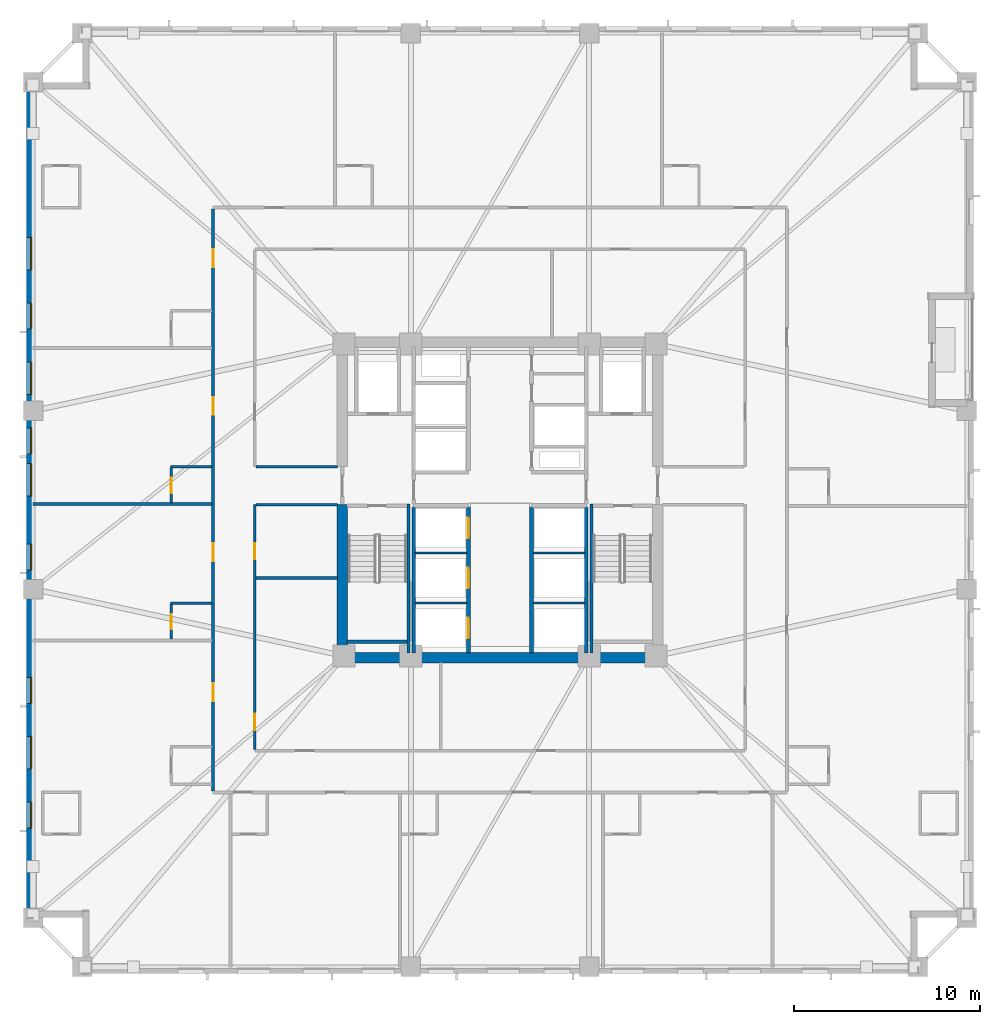
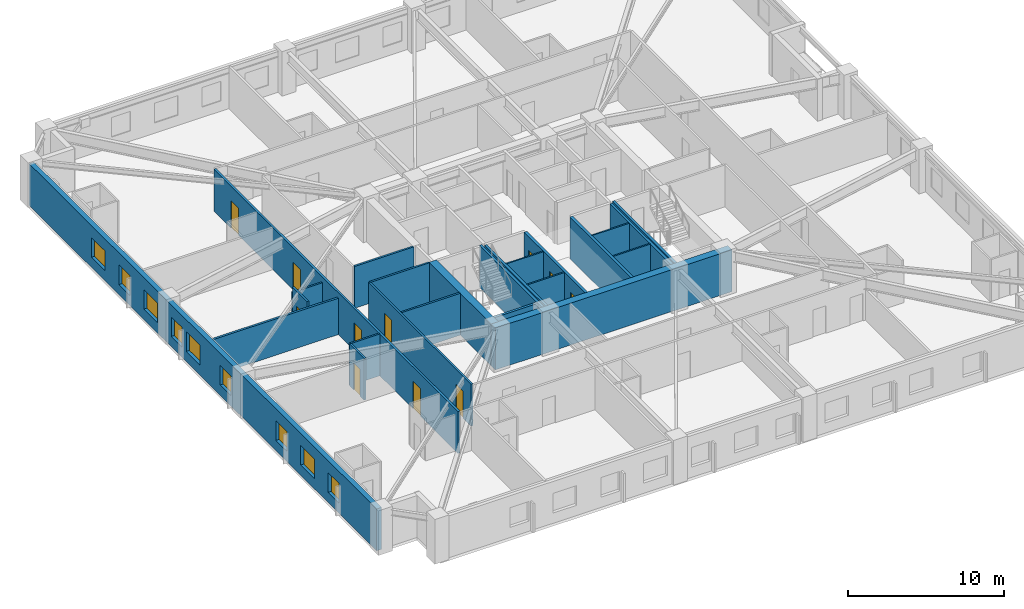
# One storey, part 3 of 11: 24 walls, 11 doors, 9 windows, 20 openings.
"""IFC4 building model written with IfcOpenShell, lengths in metres."""

from ifc_helpers import new_model, si_unit, direction, frame, frame_2d, origin, place, context, subcontext, project, spatial, rectangle, extrude, material, layer, layer_set, type_object, element, fill, save


model = new_model("IFC4")

# Units and contexts
model_context = context("Model", 3, precision=1e-05, world=origin(), true_north=direction((0.0, 1.0)))
body_context = subcontext(model_context, "Body", "Model", "MODEL_VIEW")
ifc_project = project(units=[si_unit("LENGTHUNIT", "METRE"), si_unit("AREAUNIT", "SQUARE_METRE"), si_unit("VOLUMEUNIT", "CUBIC_METRE"), si_unit("PLANEANGLEUNIT", "RADIAN"), si_unit("MASSUNIT", "GRAM", prefix="KILO")], contexts=[model_context])

# Site, building, storey
site_placement = place(None, origin())
site = spatial("IfcSite", under=ifc_project, at=site_placement, CompositionType="ELEMENT")
building_placement = place(site_placement, origin())
building = spatial("IfcBuilding", under=site, at=building_placement, Name="Cairnveth Concourse Tower", CompositionType="ELEMENT")
storey_placement = place(building_placement, frame((0.0, 0.0, 76.0)))
storey = spatial("IfcBuildingStorey", under=building, at=storey_placement, Name="L20", CompositionType="ELEMENT", Elevation=76.0)

# Wall, openings, doors
ifc_material_1 = material(Name="Gypsum Plasterboard Partition", Category="gypsum")
ifc_layer_1 = layer(ifc_material_1, 0.159912109375)
ifc_layer_set_1 = layer_set([ifc_layer_1], Name="Gypsum Plasterboard Partition")
wall_type_1 = type_object("IfcWallType", Name="ACOUSTIC PARTY WALL 180", PredefinedType="PARTITIONING", material=ifc_layer_set_1)
wall_1_placement = place(storey_placement, frame((36.550048828125, 23.31494140625, 0.0), z_axis=(0.0, 0.0, 1.0), x_axis=(0.0, 1.0, 0.0)))
wall_1 = element("IfcWall", 1, at=wall_1_placement, inside=storey, type_object=wall_type_1, Name="Interior Wall IW-L20-040", PredefinedType="PARTITIONING", context=body_context, shape_type="SweptSolid", body=[
    extrude(rectangle(XDim=31.3701171875, YDim=0.159912109375, at=frame_2d((15.68505859375, 0.0))), origin(), (0.0, 0.0, 1.0), 3.280029296875),
])
opening_1_placement = place(wall_1_placement, frame((4.848388671875, 0.0, 0.0)))
opening_1 = element("IfcOpeningElement", 2, at=opening_1_placement, cuts=wall_1, Name="Opening ID09", PredefinedType="OPENING", context=body_context, shape_type="SweptSolid", body=[
    extrude(rectangle(XDim=0.9599609375, YDim=2.14990234375, at=frame_2d((0.47998046875, 1.074951171875))), frame((0.0, 0.08984375, 0.0), z_axis=(0.0, -1.0, 0.0), x_axis=(1.0, 0.0, 0.0)), (0.0, 0.0, 1.0), 0.179931640625),
])
opening_2_placement = place(wall_1_placement, frame((12.390380859375, 0.0, 0.0)))
opening_2 = element("IfcOpeningElement", 3, at=opening_2_placement, cuts=wall_1, Name="Opening ID09", PredefinedType="OPENING", context=body_context, shape_type="SweptSolid", body=[
    extrude(rectangle(XDim=0.9599609375, YDim=2.14990234375, at=frame_2d((0.47998046875, 1.074951171875))), frame((0.0, 0.08984375, 0.0), z_axis=(0.0, -1.0, 0.0), x_axis=(1.0, 0.0, 0.0)), (0.0, 0.0, 1.0), 0.179931640625),
])
opening_3_placement = place(wall_1_placement, frame((20.265380859375, 0.0, 0.0)))
opening_3 = element("IfcOpeningElement", 4, at=opening_3_placement, cuts=wall_1, Name="Opening ID09", PredefinedType="OPENING", context=body_context, shape_type="SweptSolid", body=[
    extrude(rectangle(XDim=0.9599609375, YDim=2.14990234375, at=frame_2d((0.47998046875, 1.074951171875))), frame((0.0, 0.08984375, 0.0), z_axis=(0.0, -1.0, 0.0), x_axis=(1.0, 0.0, 0.0)), (0.0, 0.0, 1.0), 0.179931640625),
])
opening_4_placement = place(wall_1_placement, frame((28.223388671875, 0.0, 0.0)))
opening_4 = element("IfcOpeningElement", 5, at=opening_4_placement, cuts=wall_1, Name="Opening ID09", PredefinedType="OPENING", context=body_context, shape_type="SweptSolid", body=[
    extrude(rectangle(XDim=0.9599609375, YDim=2.14990234375, at=frame_2d((0.47998046875, 1.074951171875))), frame((0.0, 0.08984375, 0.0), z_axis=(0.0, -1.0, 0.0), x_axis=(1.0, 0.0, 0.0)), (0.0, 0.0, 1.0), 0.179931640625),
])
ifc_material_2 = material(Name="Solid Core Hardwood Timber Leaf", Category="wood")
door_type_1 = type_object("IfcDoorType", Name="HOTEL ENTRANCE DOOR 960X2150", OperationType="NOTDEFINED", PredefinedType="DOOR", material=ifc_material_2)
door_1_placement = place(opening_1_placement, origin())
door_1 = element("IfcDoor", 6, at=door_1_placement, inside=storey, type_object=door_type_1, Name="Hotel Room Door L20-W1", OperationType="SINGLE_SWING_RIGHT", OverallHeight=2.14990234375, OverallWidth=0.9599609375, PredefinedType="DOOR", context=body_context, shape_type="SweptSolid", body=[
    extrude(rectangle(XDim=0.9599609375, YDim=2.14990234375, at=frame_2d((0.47998046875, 1.074951171875))), frame((0.0, 0.02490234375, 0.0), z_axis=(0.0, -1.0, 0.0), x_axis=(1.0, 0.0, 0.0)), (0.0, 0.0, 1.0), 0.050048828125),
])
fill(opening_1, door_1)
door_2_placement = place(opening_2_placement, origin())
door_2 = element("IfcDoor", 7, at=door_2_placement, inside=storey, type_object=door_type_1, Name="Hotel Room Door L20-W2", OperationType="SINGLE_SWING_RIGHT", OverallHeight=2.14990234375, OverallWidth=0.9599609375, PredefinedType="DOOR", context=body_context, shape_type="SweptSolid", body=[
    extrude(rectangle(XDim=0.9599609375, YDim=2.14990234375, at=frame_2d((0.47998046875, 1.074951171875))), frame((0.0, 0.02490234375, 0.0), z_axis=(0.0, -1.0, 0.0), x_axis=(1.0, 0.0, 0.0)), (0.0, 0.0, 1.0), 0.050048828125),
])
fill(opening_2, door_2)
door_3_placement = place(opening_3_placement, origin())
door_3 = element("IfcDoor", 8, at=door_3_placement, inside=storey, type_object=door_type_1, Name="Hotel Room Door L20-W3", OperationType="SINGLE_SWING_RIGHT", OverallHeight=2.14990234375, OverallWidth=0.9599609375, PredefinedType="DOOR", context=body_context, shape_type="SweptSolid", body=[
    extrude(rectangle(XDim=0.9599609375, YDim=2.14990234375, at=frame_2d((0.47998046875, 1.074951171875))), frame((0.0, 0.02490234375, 0.0), z_axis=(0.0, -1.0, 0.0), x_axis=(1.0, 0.0, 0.0)), (0.0, 0.0, 1.0), 0.050048828125),
])
fill(opening_3, door_3)
door_4_placement = place(opening_4_placement, origin())
door_4 = element("IfcDoor", 9, at=door_4_placement, inside=storey, type_object=door_type_1, Name="Hotel Room Door L20-W4", OperationType="SINGLE_SWING_RIGHT", OverallHeight=2.14990234375, OverallWidth=0.9599609375, PredefinedType="DOOR", context=body_context, shape_type="SweptSolid", body=[
    extrude(rectangle(XDim=0.9599609375, YDim=2.14990234375, at=frame_2d((0.47998046875, 1.074951171875))), frame((0.0, 0.02490234375, 0.0), z_axis=(0.0, -1.0, 0.0), x_axis=(1.0, 0.0, 0.0)), (0.0, 0.0, 1.0), 0.050048828125),
])
fill(opening_4, door_4)

# Walls
wall_2_placement = place(storey_placement, frame((26.844970703125, 38.783935546875, 0.0), z_axis=(0.0, 0.0, 1.0), x_axis=(1.0, 0.0, 0.0)))
element("IfcWall", 10, at=wall_2_placement, inside=storey, type_object=wall_type_1, Name="Interior Wall IW-L20-089", PredefinedType="PARTITIONING", context=body_context, shape_type="SweptSolid", body=[
    extrude(rectangle(XDim=9.64013671875, YDim=0.159912109375, at=frame_2d((4.820068359375, 0.0))), origin(), (0.0, 0.0, 1.0), 2.84912109375),
])
ifc_material_3 = material(Name="Concrete N80 (80 MPa)", Category="concrete")
ifc_layer_2 = layer(ifc_material_3, 0.550048828125)
ifc_layer_set_2 = layer_set([ifc_layer_2], Name="Concrete N80 (80 MPa)")
wall_type_2 = type_object("IfcWallType", Name="CORE SHEAR WALL 550", PredefinedType="SHEAR", material=ifc_layer_set_2)
wall_3_placement = place(storey_placement, frame((43.22509765625, 30.5, 0.0), z_axis=(0.0, 0.0, 1.0), x_axis=(1.0, 0.0, 0.0)))
element("IfcWall", 11, at=wall_3_placement, inside=storey, type_object=wall_type_2, Name="Core South Shear Wall L20", PredefinedType="SHEAR", context=body_context, shape_type="SweptSolid", body=[
    extrude(rectangle(XDim=17.5498046875, YDim=0.550048828125, at=frame_2d((8.77490234375, 0.0))), origin(), (0.0, 0.0, 1.0), 3.280029296875),
])
wall_4_placement = place(storey_placement, frame((43.5, 30.764892578125, 0.0), z_axis=(0.0, 0.0, 1.0), x_axis=(0.0, 1.0, 0.0)))
element("IfcWall", 12, at=wall_4_placement, inside=storey, type_object=wall_type_2, Name="Core West Shear Wall S L20", PredefinedType="SHEAR", context=body_context, shape_type="SweptSolid", body=[
    extrude(rectangle(XDim=7.985107421875, YDim=0.550048828125, at=frame_2d((3.99267578125, 0.0))), origin(), (0.0, 0.0, 1.0), 3.280029296875),
])
ifc_material_4 = material(Name="Concrete N50 (50 MPa)", Category="concrete")
ifc_layer_3 = layer(ifc_material_4, 0.179931640625)
ifc_layer_set_3 = layer_set([ifc_layer_3], Name="Concrete N50 (50 MPa)")
wall_type_3 = type_object("IfcWallType", Name="FIRE SHAFT WALL 180", PredefinedType="SOLIDWALL", material=ifc_layer_set_3)
for number, where, z_axis, x_axis, name in (
    (13, (47.35009765625, 30.760009765625, 0.0), (0.0, 0.0, 1.0), (0.0, 1.0, 0.0), "Interior Wall IW-L20-025"),
    (14, (56.64990234375, 30.760009765625, 0.0), (0.0, 0.0, 1.0), (0.0, 1.0, 0.0), "Interior Wall IW-L20-028"),
):
    element("IfcWall", number, at=place(storey_placement, frame(where, z_axis=z_axis, x_axis=x_axis)), inside=storey, type_object=wall_type_3, Name=name, PredefinedType="SOLIDWALL", context=body_context, shape_type="SweptSolid", body=[
        extrude(rectangle(XDim=7.85498046875, YDim=0.179931640625, at=frame_2d((3.927490234375, 0.0))), origin(), (0.0, 0.0, 1.0), 3.280029296875),
    ])
wall_5_placement = place(storey_placement, frame((43.764892578125, 31.360107421875, 0.0), z_axis=(0.0, 0.0, 1.0), x_axis=(1.0, 0.0, 0.0)))
element("IfcWall", 15, at=wall_5_placement, inside=storey, type_object=wall_type_3, Name="Stair ST-1 Shaft Wall FAR L20", PredefinedType="SOLIDWALL", context=body_context, shape_type="SweptSolid", body=[
    extrude(rectangle(XDim=3.230224609375, YDim=0.179931640625, at=frame_2d((1.615234375, 0.0))), origin(), (0.0, 0.0, 1.0), 3.280029296875),
])
for number, where, z_axis, x_axis, name in (
    (16, (47.070068359375, 38.780029296875, 0.0), (0.0, 0.0, 1.0), (0.0, -1.0, 0.0), "Stair ST-1 Shaft Wall RGHT L20"),
    (17, (56.929931640625, 38.780029296875, 0.0), (0.0, 0.0, 1.0), (0.0, -1.0, 0.0), "Stair ST-2 Shaft Wall LEFT L20"),
):
    element("IfcWall", number, at=place(storey_placement, frame(where, z_axis=z_axis, x_axis=x_axis)), inside=storey, type_object=wall_type_3, Name=name, PredefinedType="SOLIDWALL", context=body_context, shape_type="SweptSolid", body=[
        extrude(rectangle(XDim=8.01708984375, YDim=0.179931640625, at=frame_2d((4.008544921875, 0.0))), origin(), (0.0, 0.0, 1.0), 3.280029296875),
    ])

# Wall, openings, doors
ifc_layer_4 = layer(ifc_material_4, 0.199951171875)
ifc_layer_set_4 = layer_set([ifc_layer_4], Name="Concrete N50 (50 MPa)")
wall_type_4 = type_object("IfcWallType", Name="FIRE SHAFT WALL 200", PredefinedType="SOLIDWALL", material=ifc_layer_set_4)
wall_6_placement = place(storey_placement, frame((50.300048828125, 30.760009765625, 0.0), z_axis=(0.0, 0.0, 1.0), x_axis=(0.0, 1.0, 0.0)))
wall_6 = element("IfcWall", 18, at=wall_6_placement, inside=storey, type_object=wall_type_4, Name="Interior Wall IW-L20-011", PredefinedType="SOLIDWALL", context=body_context, shape_type="SweptSolid", body=[
    extrude(rectangle(XDim=7.85498046875, YDim=0.199951171875, at=frame_2d((3.927490234375, 0.0))), origin(), (0.0, 0.0, 1.0), 3.280029296875),
])
opening_5_placement = place(wall_6_placement, frame((0.7900390625, 0.0, 0.0)))
opening_5 = element("IfcOpeningElement", 19, at=opening_5_placement, cuts=wall_6, Name="Opening LD-1", PredefinedType="OPENING", context=body_context, shape_type="SweptSolid", body=[
    extrude(rectangle(XDim=1.10009765625, YDim=2.199951171875, at=frame_2d((0.550048828125, 1.10009765625))), frame((0.0, 0.10986328125, 0.0), z_axis=(0.0, -1.0, 0.0), x_axis=(1.0, 0.0, 0.0)), (0.0, 0.0, 1.0), 0.219970703125),
])
opening_6_placement = place(wall_6_placement, frame((3.489990234375, 0.0, 0.0)))
opening_6 = element("IfcOpeningElement", 20, at=opening_6_placement, cuts=wall_6, Name="Opening LD-1", PredefinedType="OPENING", context=body_context, shape_type="SweptSolid", body=[
    extrude(rectangle(XDim=1.10009765625, YDim=2.199951171875, at=frame_2d((0.550048828125, 1.10009765625))), frame((0.0, 0.10986328125, 0.0), z_axis=(0.0, -1.0, 0.0), x_axis=(1.0, 0.0, 0.0)), (0.0, 0.0, 1.0), 0.219970703125),
])
opening_7_placement = place(wall_6_placement, frame((6.18994140625, 0.0, 0.0)))
opening_7 = element("IfcOpeningElement", 21, at=opening_7_placement, cuts=wall_6, Name="Opening LD-1", PredefinedType="OPENING", context=body_context, shape_type="SweptSolid", body=[
    extrude(rectangle(XDim=1.10009765625, YDim=2.199951171875, at=frame_2d((0.550048828125, 1.10009765625))), frame((0.0, 0.10986328125, 0.0), z_axis=(0.0, -1.0, 0.0), x_axis=(1.0, 0.0, 0.0)), (0.0, 0.0, 1.0), 0.219970703125),
])
ifc_material_5 = material(Name="Architectural Bronze Anodised Aluminium 6063-T6", Category="aluminium")
door_type_2 = type_object("IfcDoorType", Name="LIFT LANDING DOOR 1100X2200", OperationType="SLIDING_TO_LEFT", PredefinedType="DOOR", material=ifc_material_5)
door_5_placement = place(opening_5_placement, origin())
door_5 = element("IfcDoor", 22, at=door_5_placement, inside=storey, type_object=door_type_2, Name="Lift PL1 Landing Door L20", OperationType="SLIDING_TO_LEFT", OverallHeight=2.199951171875, OverallWidth=1.10009765625, PredefinedType="DOOR", context=body_context, shape_type="SweptSolid", body=[
    extrude(rectangle(XDim=1.10009765625, YDim=2.199951171875, at=frame_2d((0.550048828125, 1.10009765625))), frame((0.0, 0.02490234375, 0.0), z_axis=(0.0, -1.0, 0.0), x_axis=(1.0, 0.0, 0.0)), (0.0, 0.0, 1.0), 0.050048828125),
])
fill(opening_5, door_5)
door_6_placement = place(opening_6_placement, origin())
door_6 = element("IfcDoor", 23, at=door_6_placement, inside=storey, type_object=door_type_2, Name="Lift PL2 Landing Door L20", OperationType="SLIDING_TO_LEFT", OverallHeight=2.199951171875, OverallWidth=1.10009765625, PredefinedType="DOOR", context=body_context, shape_type="SweptSolid", body=[
    extrude(rectangle(XDim=1.10009765625, YDim=2.199951171875, at=frame_2d((0.550048828125, 1.10009765625))), frame((0.0, 0.02490234375, 0.0), z_axis=(0.0, -1.0, 0.0), x_axis=(1.0, 0.0, 0.0)), (0.0, 0.0, 1.0), 0.050048828125),
])
fill(opening_6, door_6)
door_7_placement = place(opening_7_placement, origin())
door_7 = element("IfcDoor", 24, at=door_7_placement, inside=storey, type_object=door_type_2, Name="Lift PL3 Landing Door L20", OperationType="SLIDING_TO_LEFT", OverallHeight=2.199951171875, OverallWidth=1.10009765625, PredefinedType="DOOR", context=body_context, shape_type="SweptSolid", body=[
    extrude(rectangle(XDim=1.10009765625, YDim=2.199951171875, at=frame_2d((0.550048828125, 1.10009765625))), frame((0.0, 0.02490234375, 0.0), z_axis=(0.0, -1.0, 0.0), x_axis=(1.0, 0.0, 0.0)), (0.0, 0.0, 1.0), 0.050048828125),
])
fill(opening_7, door_7)

# Wall
wall_7_placement = place(storey_placement, frame((53.699951171875, 30.760009765625, 0.0), z_axis=(0.0, 0.0, 1.0), x_axis=(0.0, 1.0, 0.0)))
element("IfcWall", 25, at=wall_7_placement, inside=storey, type_object=wall_type_4, Name="Interior Wall IW-L20-012", PredefinedType="SOLIDWALL", context=body_context, shape_type="SweptSolid", body=[
    extrude(rectangle(XDim=7.85498046875, YDim=0.199951171875, at=frame_2d((3.927490234375, 0.0))), origin(), (0.0, 0.0, 1.0), 3.280029296875),
])

# Wall, openings, doors
ifc_layer_5 = layer(ifc_material_1, 0.139892578125)
ifc_layer_set_5 = layer_set([ifc_layer_5], Name="Gypsum Plasterboard Partition")
wall_type_5 = type_object("IfcWallType", Name="GYPSUM STUD PARTITION 140", PredefinedType="PARTITIONING", material=ifc_layer_set_5)
wall_8_placement = place(storey_placement, frame((38.800048828125, 25.554931640625, 0.0), z_axis=(0.0, 0.0, 1.0), x_axis=(0.0, 1.0, 0.0)))
wall_8 = element("IfcWall", 26, at=wall_8_placement, inside=storey, type_object=wall_type_5, Name="Interior Wall IW-L20-044", PredefinedType="PARTITIONING", context=body_context, shape_type="SweptSolid", body=[
    extrude(rectangle(XDim=13.195068359375, YDim=0.139892578125, at=frame_2d((6.59765625, 0.0))), origin(), (0.0, 0.0, 1.0), 3.280029296875),
])
opening_8_placement = place(wall_8_placement, frame((1.044921875, 0.0, 0.0)))
opening_8 = element("IfcOpeningElement", 27, at=opening_8_placement, cuts=wall_8, Name="Opening ID18", PredefinedType="OPENING", context=body_context, shape_type="SweptSolid", body=[
    extrude(rectangle(XDim=0.8798828125, YDim=2.10009765625, at=frame_2d((0.43994140625, 1.050048828125))), frame((0.0, 0.079833984375, 0.0), z_axis=(0.0, -1.0, 0.0), x_axis=(1.0, 0.0, 0.0)), (0.0, 0.0, 1.0), 0.159912109375),
])
opening_9_placement = place(wall_8_placement, frame((10.2451171875, 0.0, 0.0)))
opening_9 = element("IfcOpeningElement", 28, at=opening_9_placement, cuts=wall_8, Name="Opening ID18", PredefinedType="OPENING", context=body_context, shape_type="SweptSolid", body=[
    extrude(rectangle(XDim=0.8798828125, YDim=2.10009765625, at=frame_2d((0.43994140625, 1.050048828125))), frame((0.0, 0.079833984375, 0.0), z_axis=(0.0, -1.0, 0.0), x_axis=(1.0, 0.0, 0.0)), (0.0, 0.0, 1.0), 0.159912109375),
])
door_type_3 = type_object("IfcDoorType", Name="INTERIOR SINGLE DOOR 880X2100", OperationType="NOTDEFINED", PredefinedType="DOOR", material=ifc_material_2)
door_8_placement = place(opening_8_placement, origin())
door_8 = element("IfcDoor", 29, at=door_8_placement, inside=storey, type_object=door_type_3, Name="Interior Door DR-L20-018", OperationType="SINGLE_SWING_RIGHT", OverallHeight=2.10009765625, OverallWidth=0.8798828125, PredefinedType="DOOR", context=body_context, shape_type="SweptSolid", body=[
    extrude(rectangle(XDim=0.8798828125, YDim=2.10009765625, at=frame_2d((0.43994140625, 1.050048828125))), frame((0.0, 0.02490234375, 0.0), z_axis=(0.0, -1.0, 0.0), x_axis=(1.0, 0.0, 0.0)), (0.0, 0.0, 1.0), 0.050048828125),
])
fill(opening_8, door_8)
door_9_placement = place(opening_9_placement, origin())
door_9 = element("IfcDoor", 30, at=door_9_placement, inside=storey, type_object=door_type_3, Name="Interior Door DR-L20-019", OperationType="SINGLE_SWING_LEFT", OverallHeight=2.10009765625, OverallWidth=0.8798828125, PredefinedType="DOOR", context=body_context, shape_type="SweptSolid", body=[
    extrude(rectangle(XDim=0.8798828125, YDim=2.10009765625, at=frame_2d((0.43994140625, 1.050048828125))), frame((0.0, 0.02490234375, 0.0), z_axis=(0.0, -1.0, 0.0), x_axis=(1.0, 0.0, 0.0)), (0.0, 0.0, 1.0), 0.050048828125),
])
fill(opening_9, door_9)

# Walls
for number, where, z_axis, x_axis, name in (
    (31, (38.85498046875, 38.75, 0.0), (0.0, 0.0, 1.0), (1.0, 0.0, 0.0), "Interior Wall IW-L20-046"),
    (32, (38.85498046875, 40.800048828125, 0.0), (0.0, 0.0, 1.0), (1.0, 0.0, 0.0), "Interior Wall IW-L20-047"),
    (33, (38.85498046875, 34.800048828125, 0.0), (0.0, 0.0, 1.0), (1.0, 0.0, 0.0), "Interior Wall IW-L20-054"),
):
    element("IfcWall", number, at=place(storey_placement, frame(where, z_axis=z_axis, x_axis=x_axis)), inside=storey, type_object=wall_type_5, Name=name, PredefinedType="PARTITIONING", context=body_context, shape_type="SweptSolid", body=[
        extrude(rectangle(XDim=4.385009765625, YDim=0.139892578125, at=frame_2d((2.1923828125, 0.0))), origin(), (0.0, 0.0, 1.0), 3.280029296875),
    ])
ifc_layer_6 = layer(ifc_material_1, 0.110107421875)
ifc_layer_set_6 = layer_set([ifc_layer_6], Name="Gypsum Plasterboard Partition")
wall_type_6 = type_object("IfcWallType", Name="SHAFT DIVIDER WALL 140", PredefinedType="PARTITIONING", material=ifc_layer_set_6)
for number, where, z_axis, x_axis, name in (
    (34, (47.425048828125, 33.449951171875, 0.0), (0.0, 0.0, 1.0), (1.0, 0.0, 0.0), "Interior Wall IW-L20-026"),
    (35, (47.425048828125, 36.14990234375, 0.0), (0.0, 0.0, 1.0), (1.0, 0.0, 0.0), "Interior Wall IW-L20-027"),
    (36, (53.784912109375, 33.449951171875, 0.0), (0.0, 0.0, 1.0), (1.0, 0.0, 0.0), "Interior Wall IW-L20-029"),
    (37, (53.784912109375, 36.14990234375, 0.0), (0.0, 0.0, 1.0), (1.0, 0.0, 0.0), "Interior Wall IW-L20-030"),
):
    element("IfcWall", number, at=place(storey_placement, frame(where, z_axis=z_axis, x_axis=x_axis)), inside=storey, type_object=wall_type_6, Name=name, PredefinedType="PARTITIONING", context=body_context, shape_type="SweptSolid", body=[
        extrude(rectangle(XDim=2.7900390625, YDim=0.110107421875, at=frame_2d((1.39501953125, 0.0))), origin(), (0.0, 0.0, 1.0), 3.280029296875),
    ])
ifc_layer_7 = layer(ifc_material_1, 0.1298828125)
ifc_layer_set_7 = layer_set([ifc_layer_7], Name="Gypsum Plasterboard Partition")
wall_type_7 = type_object("IfcWallType", Name="WET AREA PARTITION 140", PredefinedType="PLUMBINGWALL", material=ifc_layer_set_7)
wall_9_placement = place(storey_placement, frame((34.25, 33.43701171875, 0.0), z_axis=(0.0, 0.0, 1.0), x_axis=(1.0, 0.0, 0.0)))
element("IfcWall", 38, at=wall_9_placement, inside=storey, type_object=wall_type_7, Name="Interior Wall IW-L20-087", PredefinedType="PLUMBINGWALL", context=body_context, shape_type="SweptSolid", body=[
    extrude(rectangle(XDim=2.235107421875, YDim=0.1298828125, at=frame_2d((1.11767578125, 0.0))), origin(), (0.0, 0.0, 1.0), 3.280029296875),
])

# Wall, opening, door
wall_10_placement = place(storey_placement, frame((34.300048828125, 31.501953125, 0.0), z_axis=(0.0, 0.0, 1.0), x_axis=(0.0, 1.0, 0.0)))
wall_10 = element("IfcWall", 39, at=wall_10_placement, inside=storey, type_object=wall_type_7, Name="Interior Wall IW-L20-088", PredefinedType="PLUMBINGWALL", context=body_context, shape_type="SweptSolid", body=[
    extrude(rectangle(XDim=1.885009765625, YDim=0.1298828125, at=frame_2d((0.9423828125, 0.0))), origin(), (0.0, 0.0, 1.0), 3.280029296875),
])
opening_10_placement = place(wall_10_placement, frame((0.52490234375, 0.0, 0.0)))
opening_10 = element("IfcOpeningElement", 40, at=opening_10_placement, cuts=wall_10, Name="Opening ID22", PredefinedType="OPENING", context=body_context, shape_type="SweptSolid", body=[
    extrude(rectangle(XDim=0.820068359375, YDim=2.10009765625, at=frame_2d((0.41015625, 1.050048828125))), frame((0.0, 0.074951171875, 0.0), z_axis=(0.0, -1.0, 0.0), x_axis=(1.0, 0.0, 0.0)), (0.0, 0.0, 1.0), 0.14990234375),
])
door_type_4 = type_object("IfcDoorType", Name="INTERIOR WC DOOR 820X2100", OperationType="NOTDEFINED", PredefinedType="DOOR", material=ifc_material_2)
door_10_placement = place(opening_10_placement, origin())
door_10 = element("IfcDoor", 41, at=door_10_placement, inside=storey, type_object=door_type_4, Name="En-Suite Door L20-W2", OperationType="SINGLE_SWING_LEFT", OverallHeight=2.10009765625, OverallWidth=0.820068359375, PredefinedType="DOOR", context=body_context, shape_type="SweptSolid", body=[
    extrude(rectangle(XDim=0.820068359375, YDim=2.10009765625, at=frame_2d((0.41015625, 1.050048828125))), frame((0.0, 0.02490234375, 0.0), z_axis=(0.0, -1.0, 0.0), x_axis=(1.0, 0.0, 0.0)), (0.0, 0.0, 1.0), 0.050048828125),
])
fill(opening_10, door_10)

# Wall
wall_11_placement = place(storey_placement, frame((34.25, 40.783935546875, 0.0), z_axis=(0.0, 0.0, 1.0), x_axis=(1.0, 0.0, 0.0)))
element("IfcWall", 42, at=wall_11_placement, inside=storey, type_object=wall_type_7, Name="Interior Wall IW-L20-090", PredefinedType="PLUMBINGWALL", context=body_context, shape_type="SweptSolid", body=[
    extrude(rectangle(XDim=2.235107421875, YDim=0.1298828125, at=frame_2d((1.11767578125, 0.0))), origin(), (0.0, 0.0, 1.0), 2.84912109375),
])

# Wall, opening, door
wall_12_placement = place(storey_placement, frame((34.300048828125, 38.84912109375, 0.0), z_axis=(0.0, 0.0, 1.0), x_axis=(0.0, 1.0, 0.0)))
wall_12 = element("IfcWall", 43, at=wall_12_placement, inside=storey, type_object=wall_type_7, Name="Interior Wall IW-L20-091", PredefinedType="PLUMBINGWALL", context=body_context, shape_type="SweptSolid", body=[
    extrude(rectangle(XDim=1.884765625, YDim=0.1298828125, at=frame_2d((0.9423828125, 0.0))), origin(), (0.0, 0.0, 1.0), 3.280029296875),
])
opening_11_placement = place(wall_12_placement, frame((0.52490234375, 0.0, 0.0)))
opening_11 = element("IfcOpeningElement", 44, at=opening_11_placement, cuts=wall_12, Name="Opening ID22", PredefinedType="OPENING", context=body_context, shape_type="SweptSolid", body=[
    extrude(rectangle(XDim=0.820068359375, YDim=2.10009765625, at=frame_2d((0.41015625, 1.050048828125))), frame((0.0, 0.074951171875, 0.0), z_axis=(0.0, -1.0, 0.0), x_axis=(1.0, 0.0, 0.0)), (0.0, 0.0, 1.0), 0.14990234375),
])
door_11_placement = place(opening_11_placement, origin())
door_11 = element("IfcDoor", 45, at=door_11_placement, inside=storey, type_object=door_type_4, Name="En-Suite Door L20-W3", OperationType="SINGLE_SWING_LEFT", OverallHeight=2.10009765625, OverallWidth=0.820068359375, PredefinedType="DOOR", context=body_context, shape_type="SweptSolid", body=[
    extrude(rectangle(XDim=0.820068359375, YDim=2.10009765625, at=frame_2d((0.41015625, 1.050048828125))), frame((0.0, 0.02490234375, 0.0), z_axis=(0.0, -1.0, 0.0), x_axis=(1.0, 0.0, 0.0)), (0.0, 0.0, 1.0), 0.050048828125),
])
fill(opening_11, door_11)

# Wall, openings, windows
ifc_material_6 = material(Name="Hawthorn Red-Ochre Fired Clay Brick Masonry", Category="masonry")
ifc_layer_8 = layer(ifc_material_6, 0.360107421875)
ifc_layer_set_8 = layer_set([ifc_layer_8], Name="Hawthorn Red-Ochre Fired Clay Brick Masonry")
wall_type_8 = type_object("IfcWallType", Name="ZONE 1 BRICK PIER SPANDREL WALL 360", PredefinedType="SOLIDWALL", material=ifc_layer_set_8)
wall_13_placement = place(storey_placement, frame((26.679931640625, 16.5, 0.0), z_axis=(0.0, 0.0, 1.0), x_axis=(0.0, 1.0, 0.0)))
wall_13 = element("IfcWall", 46, at=wall_13_placement, inside=storey, type_object=wall_type_8, Name="Exterior Wall EW-L20-S06", PredefinedType="SOLIDWALL", context=body_context, shape_type="SweptSolid", body=[
    extrude(rectangle(XDim=44.662109375, YDim=0.360107421875, at=frame_2d((22.3310546875, 0.0))), origin(), (0.0, 0.0, 1.0), 3.280029296875),
])
opening_12_placement = place(wall_13_placement, frame((4.830078125, 0.0, 0.800048828125)))
opening_12 = element("IfcOpeningElement", 47, at=opening_12_placement, cuts=wall_13, Name="Opening W05", PredefinedType="OPENING", context=body_context, shape_type="SweptSolid", body=[
    extrude(rectangle(XDim=1.39990234375, YDim=1.5439453125, at=frame_2d((0.699951171875, 0.77197265625))), frame((0.0, 0.18994140625, 0.0), z_axis=(0.0, -1.0, 0.0), x_axis=(1.0, 0.0, 0.0)), (0.0, 0.0, 1.0), 0.380126953125),
])
opening_13_placement = place(wall_13_placement, frame((8.015380859375, 0.0, 0.800048828125)))
opening_13 = element("IfcOpeningElement", 48, at=opening_13_placement, cuts=wall_13, Name="Opening W06", PredefinedType="OPENING", context=body_context, shape_type="SweptSolid", body=[
    extrude(rectangle(XDim=1.75, YDim=1.5439453125, at=frame_2d((0.875, 0.77197265625))), frame((0.0, 0.18994140625, 0.0), z_axis=(0.0, -1.0, 0.0), x_axis=(1.0, 0.0, 0.0)), (0.0, 0.0, 1.0), 0.380126953125),
])
opening_14_placement = place(wall_13_placement, frame((11.550537109375, 0.0, 0.800048828125)))
opening_14 = element("IfcOpeningElement", 49, at=opening_14_placement, cuts=wall_13, Name="Opening W05", PredefinedType="OPENING", context=body_context, shape_type="SweptSolid", body=[
    extrude(rectangle(XDim=1.39990234375, YDim=1.5439453125, at=frame_2d((0.699951171875, 0.77197265625))), frame((0.0, 0.18994140625, 0.0), z_axis=(0.0, -1.0, 0.0), x_axis=(1.0, 0.0, 0.0)), (0.0, 0.0, 1.0), 0.380126953125),
])
opening_15_placement = place(wall_13_placement, frame((18.720703125, 0.0, 0.800048828125)))
opening_15 = element("IfcOpeningElement", 50, at=opening_15_placement, cuts=wall_13, Name="Opening W05", PredefinedType="OPENING", context=body_context, shape_type="SweptSolid", body=[
    extrude(rectangle(XDim=1.39990234375, YDim=1.5439453125, at=frame_2d((0.699951171875, 0.77197265625))), frame((0.0, 0.18994140625, 0.0), z_axis=(0.0, -1.0, 0.0), x_axis=(1.0, 0.0, 0.0)), (0.0, 0.0, 1.0), 0.380126953125),
])
opening_16_placement = place(wall_13_placement, frame((22.7060546875, 0.0, 0.800048828125)))
opening_16 = element("IfcOpeningElement", 51, at=opening_16_placement, cuts=wall_13, Name="Opening W06", PredefinedType="OPENING", context=body_context, shape_type="SweptSolid", body=[
    extrude(rectangle(XDim=1.75, YDim=1.5439453125, at=frame_2d((0.875, 0.77197265625))), frame((0.0, 0.18994140625, 0.0), z_axis=(0.0, -1.0, 0.0), x_axis=(1.0, 0.0, 0.0)), (0.0, 0.0, 1.0), 0.380126953125),
])
opening_17_placement = place(wall_13_placement, frame((24.9912109375, 0.0, 0.800048828125)))
opening_17 = element("IfcOpeningElement", 52, at=opening_17_placement, cuts=wall_13, Name="Opening W05", PredefinedType="OPENING", context=body_context, shape_type="SweptSolid", body=[
    extrude(rectangle(XDim=1.39990234375, YDim=1.5439453125, at=frame_2d((0.699951171875, 0.77197265625))), frame((0.0, 0.18994140625, 0.0), z_axis=(0.0, -1.0, 0.0), x_axis=(1.0, 0.0, 0.0)), (0.0, 0.0, 1.0), 0.380126953125),
])
opening_18_placement = place(wall_13_placement, frame((28.176513671875, 0.0, 0.800048828125)))
opening_18 = element("IfcOpeningElement", 53, at=opening_18_placement, cuts=wall_13, Name="Opening W06", PredefinedType="OPENING", context=body_context, shape_type="SweptSolid", body=[
    extrude(rectangle(XDim=1.75, YDim=1.5439453125, at=frame_2d((0.875, 0.77197265625))), frame((0.0, 0.18994140625, 0.0), z_axis=(0.0, -1.0, 0.0), x_axis=(1.0, 0.0, 0.0)), (0.0, 0.0, 1.0), 0.380126953125),
])
opening_19_placement = place(wall_13_placement, frame((31.71142578125, 0.0, 0.800048828125)))
opening_19 = element("IfcOpeningElement", 54, at=opening_19_placement, cuts=wall_13, Name="Opening W05", PredefinedType="OPENING", context=body_context, shape_type="SweptSolid", body=[
    extrude(rectangle(XDim=1.39990234375, YDim=1.5439453125, at=frame_2d((0.699951171875, 0.77197265625))), frame((0.0, 0.18994140625, 0.0), z_axis=(0.0, -1.0, 0.0), x_axis=(1.0, 0.0, 0.0)), (0.0, 0.0, 1.0), 0.380126953125),
])
opening_20_placement = place(wall_13_placement, frame((34.896728515625, 0.0, 0.800048828125)))
opening_20 = element("IfcOpeningElement", 55, at=opening_20_placement, cuts=wall_13, Name="Opening W06", PredefinedType="OPENING", context=body_context, shape_type="SweptSolid", body=[
    extrude(rectangle(XDim=1.75, YDim=1.5439453125, at=frame_2d((0.875, 0.77197265625))), frame((0.0, 0.18994140625, 0.0), z_axis=(0.0, -1.0, 0.0), x_axis=(1.0, 0.0, 0.0)), (0.0, 0.0, 1.0), 0.380126953125),
])
ifc_material_7 = material(Name="Double Glazed Low-E Clear Glass", Category="glass")
window_type_1 = type_object("IfcWindowType", Name="DEEP-SET HOTEL CASEMENT WINDOW 1400X1750", PartitioningType="DOUBLE_PANEL_VERTICAL", PredefinedType="WINDOW", material=ifc_material_7)
window_1_placement = place(opening_12_placement, origin())
window_1 = element("IfcWindow", 56, at=window_1_placement, inside=storey, type_object=window_type_1, Name="Gothic Lancet Window L20-6-1", OverallHeight=1.5439453125, OverallWidth=1.39990234375, PartitioningType="SINGLE_PANEL", PredefinedType="WINDOW", context=body_context, shape_type="SweptSolid", body=[
    extrude(rectangle(XDim=1.39990234375, YDim=1.5439453125, at=frame_2d((0.699951171875, 0.77197265625))), frame((0.0, -0.050048828125, 0.0), z_axis=(0.0, -1.0, 0.0), x_axis=(1.0, 0.0, 0.0)), (0.0, 0.0, 1.0), 0.06005859375),
])
fill(opening_12, window_1)
window_2_placement = place(opening_14_placement, origin())
window_2 = element("IfcWindow", 57, at=window_2_placement, inside=storey, type_object=window_type_1, Name="Gothic Lancet Window L20-6-3", OverallHeight=1.5439453125, OverallWidth=1.39990234375, PartitioningType="SINGLE_PANEL", PredefinedType="WINDOW", context=body_context, shape_type="SweptSolid", body=[
    extrude(rectangle(XDim=1.39990234375, YDim=1.5439453125, at=frame_2d((0.699951171875, 0.77197265625))), frame((0.0, -0.050048828125, 0.0), z_axis=(0.0, -1.0, 0.0), x_axis=(1.0, 0.0, 0.0)), (0.0, 0.0, 1.0), 0.06005859375),
])
fill(opening_14, window_2)
window_3_placement = place(opening_15_placement, origin())
window_3 = element("IfcWindow", 58, at=window_3_placement, inside=storey, type_object=window_type_1, Name="Gothic Lancet Window L20-6-5", OverallHeight=1.5439453125, OverallWidth=1.39990234375, PartitioningType="SINGLE_PANEL", PredefinedType="WINDOW", context=body_context, shape_type="SweptSolid", body=[
    extrude(rectangle(XDim=1.39990234375, YDim=1.5439453125, at=frame_2d((0.699951171875, 0.77197265625))), frame((0.0, -0.050048828125, 0.0), z_axis=(0.0, -1.0, 0.0), x_axis=(1.0, 0.0, 0.0)), (0.0, 0.0, 1.0), 0.06005859375),
])
fill(opening_15, window_3)
window_4_placement = place(opening_17_placement, origin())
window_4 = element("IfcWindow", 59, at=window_4_placement, inside=storey, type_object=window_type_1, Name="Gothic Lancet Window L20-6-7", OverallHeight=1.5439453125, OverallWidth=1.39990234375, PartitioningType="SINGLE_PANEL", PredefinedType="WINDOW", context=body_context, shape_type="SweptSolid", body=[
    extrude(rectangle(XDim=1.39990234375, YDim=1.5439453125, at=frame_2d((0.699951171875, 0.77197265625))), frame((0.0, -0.050048828125, 0.0), z_axis=(0.0, -1.0, 0.0), x_axis=(1.0, 0.0, 0.0)), (0.0, 0.0, 1.0), 0.06005859375),
])
fill(opening_17, window_4)
window_5_placement = place(opening_19_placement, origin())
window_5 = element("IfcWindow", 60, at=window_5_placement, inside=storey, type_object=window_type_1, Name="Gothic Lancet Window L20-6-9", OverallHeight=1.5439453125, OverallWidth=1.39990234375, PartitioningType="SINGLE_PANEL", PredefinedType="WINDOW", context=body_context, shape_type="SweptSolid", body=[
    extrude(rectangle(XDim=1.39990234375, YDim=1.5439453125, at=frame_2d((0.699951171875, 0.77197265625))), frame((0.0, -0.050048828125, 0.0), z_axis=(0.0, -1.0, 0.0), x_axis=(1.0, 0.0, 0.0)), (0.0, 0.0, 1.0), 0.06005859375),
])
fill(opening_19, window_5)
window_type_2 = type_object("IfcWindowType", Name="DEEP-SET HOTEL SUITE WINDOW 1750X1800", PartitioningType="DOUBLE_PANEL_VERTICAL", PredefinedType="WINDOW", material=ifc_material_7)
window_6_placement = place(opening_13_placement, origin())
window_6 = element("IfcWindow", 61, at=window_6_placement, inside=storey, type_object=window_type_2, Name="Gothic Lancet Window L20-6-2", OverallHeight=1.5439453125, OverallWidth=1.75, PartitioningType="SINGLE_PANEL", PredefinedType="WINDOW", context=body_context, shape_type="SweptSolid", body=[
    extrude(rectangle(XDim=1.75, YDim=1.5439453125, at=frame_2d((0.875, 0.77197265625))), frame((0.0, -0.050048828125, 0.0), z_axis=(0.0, -1.0, 0.0), x_axis=(1.0, 0.0, 0.0)), (0.0, 0.0, 1.0), 0.06005859375),
])
fill(opening_13, window_6)
window_7_placement = place(opening_16_placement, origin())
window_7 = element("IfcWindow", 62, at=window_7_placement, inside=storey, type_object=window_type_2, Name="Gothic Lancet Window L20-6-6", OverallHeight=1.5439453125, OverallWidth=1.75, PartitioningType="SINGLE_PANEL", PredefinedType="WINDOW", context=body_context, shape_type="SweptSolid", body=[
    extrude(rectangle(XDim=1.75, YDim=1.5439453125, at=frame_2d((0.875, 0.77197265625))), frame((0.0, -0.050048828125, 0.0), z_axis=(0.0, -1.0, 0.0), x_axis=(1.0, 0.0, 0.0)), (0.0, 0.0, 1.0), 0.06005859375),
])
fill(opening_16, window_7)
window_8_placement = place(opening_18_placement, origin())
window_8 = element("IfcWindow", 63, at=window_8_placement, inside=storey, type_object=window_type_2, Name="Gothic Lancet Window L20-6-8", OverallHeight=1.5439453125, OverallWidth=1.75, PartitioningType="SINGLE_PANEL", PredefinedType="WINDOW", context=body_context, shape_type="SweptSolid", body=[
    extrude(rectangle(XDim=1.75, YDim=1.5439453125, at=frame_2d((0.875, 0.77197265625))), frame((0.0, -0.050048828125, 0.0), z_axis=(0.0, -1.0, 0.0), x_axis=(1.0, 0.0, 0.0)), (0.0, 0.0, 1.0), 0.06005859375),
])
fill(opening_18, window_8)
window_9_placement = place(opening_20_placement, origin())
window_9 = element("IfcWindow", 64, at=window_9_placement, inside=storey, type_object=window_type_2, Name="Gothic Lancet Window L20-6-10", OverallHeight=1.5439453125, OverallWidth=1.75, PartitioningType="SINGLE_PANEL", PredefinedType="WINDOW", context=body_context, shape_type="SweptSolid", body=[
    extrude(rectangle(XDim=1.75, YDim=1.5439453125, at=frame_2d((0.875, 0.77197265625))), frame((0.0, -0.050048828125, 0.0), z_axis=(0.0, -1.0, 0.0), x_axis=(1.0, 0.0, 0.0)), (0.0, 0.0, 1.0), 0.06005859375),
])
fill(opening_20, window_9)

save(model, "model.ifc")
